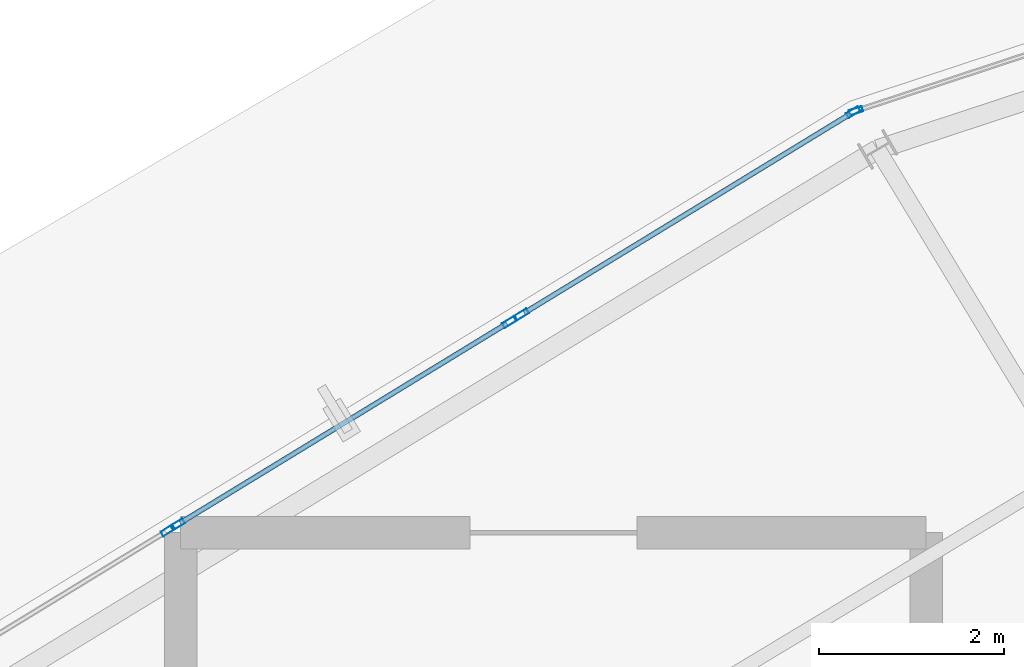
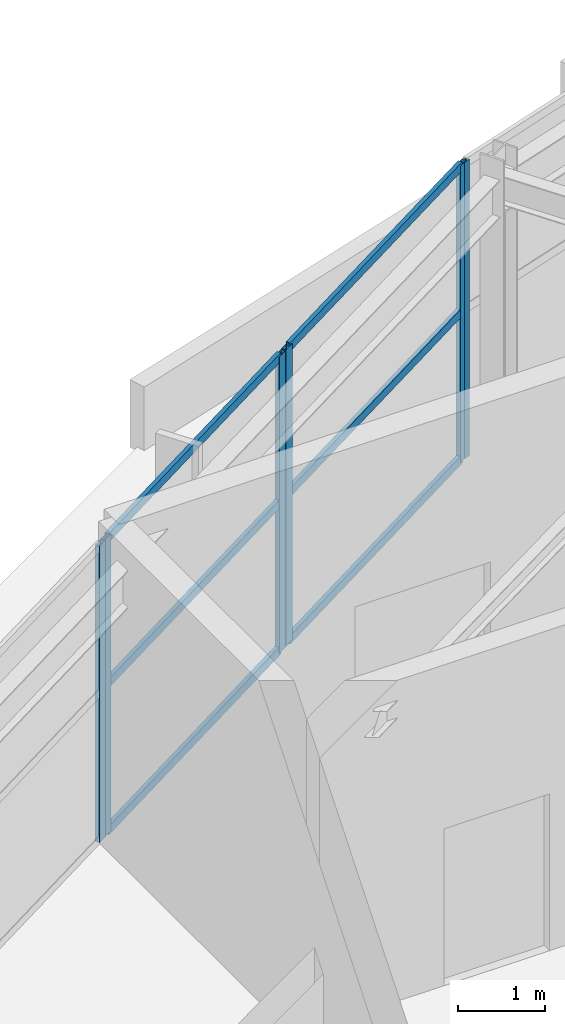
# One storey, part 63 of 126: 12 members, 4 elements without a shape of their own.
"""IFC4 building model written with IfcOpenShell, lengths in metres."""

from ifc_helpers import new_model, si_unit, direction, frame, origin, origin_2d, place, context, subcontext, project, spatial, hollow_rectangle, extrude, material, layer, layer_set, material_profile, profile_set, type_object, element, aggregate, save


model = new_model("IFC4")

# Units and contexts
model_context = context("Model", 3, precision=1e-05, world=origin(), true_north=direction((0.0, 1.0)))
body_context = subcontext(model_context, "Body", "Model", "MODEL_VIEW")
ifc_project = project(units=[si_unit("LENGTHUNIT", "METRE"), si_unit("AREAUNIT", "SQUARE_METRE"), si_unit("VOLUMEUNIT", "CUBIC_METRE"), si_unit("PLANEANGLEUNIT", "RADIAN"), si_unit("MASSUNIT", "GRAM", prefix="KILO")], contexts=[model_context])

# Site, building, storey
site_placement = place(None, origin())
site = spatial("IfcSite", under=ifc_project, at=site_placement, CompositionType="ELEMENT")
building_placement = place(site_placement, origin())
building = spatial("IfcBuilding", under=site, at=building_placement, Name="Kalgoora Escarpment Arena", CompositionType="ELEMENT")
storey_placement = place(building_placement, frame((0.0, 0.0, 18.89990234375)))
storey = spatial("IfcBuildingStorey", under=building, at=storey_placement, Name="L04", CompositionType="ELEMENT", Elevation=18.89990234375)

# Curtain wall, member
ifc_material_1 = material(Name=" Champagne anodised aluminium & double-glazed low-E", Category="aluminium")
ifc_layer_1 = layer(ifc_material_1, 0.157958984375)
ifc_layer_set_1 = layer_set([ifc_layer_1], Name="CW-UNIT-12")
curtain_wall_type_1 = type_object("IfcCurtainWallType", Name="CW-UNIT-12", PredefinedType="NOTDEFINED", material=ifc_layer_set_1)
curtain_wall_1_placement = place(storey_placement, origin())
curtain_wall_1 = element("IfcCurtainWall", 1, at=curtain_wall_1_placement, inside=storey, type_object=curtain_wall_type_1, Name="L04 unitised facade curtain wall 151", PredefinedType="NOTDEFINED")
ifc_material_2 = material(Name="Anodised aluminium 6063-T6", Category="aluminium")
ifc_material_profile_1 = material_profile(ifc_material_2, hollow_rectangle(XDim=0.06005859375, YDim=0.14990234375, WallThickness=0.00341796875, at=origin_2d()))
ifc_profile_set_1 = profile_set([ifc_material_profile_1], Name="Anodised aluminium 6063-T6")
member_type_1 = type_object("IfcMemberType", Name="MEM-CW-MULL-150", PredefinedType="MULLION", material=ifc_profile_set_1)
member_1_placement = place(storey_placement, frame((48.8369140625, 109.24755859375, 0.02001953125), z_axis=(0.0, 0.0, 1.0), x_axis=(-0.52106650732, 0.853516077733, 0.0)))
member_1 = element("IfcMember", 2, at=member_1_placement, type_object=member_type_1, Name="CW-12 mullion 2", PredefinedType="MULLION", context=body_context, shape_type="SweptSolid", body=[
    extrude(hollow_rectangle(XDim=0.06005859375, YDim=0.14990234375, WallThickness=0.00341796875, at=origin_2d()), origin(), (0.0, 0.0, 1.0), 4.16015625),
])
aggregate(curtain_wall_1, [member_1])

# Curtain wall, members
ifc_material_3 = material(Name=" Champagne anodised aluminium & double-glazed low-E", Category="aluminium")
ifc_layer_2 = layer(ifc_material_3, 0.162109375)
ifc_layer_set_2 = layer_set([ifc_layer_2], Name="CW-UNIT-13")
curtain_wall_type_2 = type_object("IfcCurtainWallType", Name="CW-UNIT-13", PredefinedType="NOTDEFINED", material=ifc_layer_set_2)
curtain_wall_2_placement = place(storey_placement, origin())
curtain_wall_2 = element("IfcCurtainWall", 3, at=curtain_wall_2_placement, inside=storey, type_object=curtain_wall_type_2, Name="L04 unitised facade curtain wall 152", PredefinedType="NOTDEFINED")
member_2_placement = place(storey_placement, frame((48.9443359375, 109.313232421875, 0.02001953125), z_axis=(0.0, 0.0, 1.0), x_axis=(-0.521048501858, 0.853527069701, 0.0)))
member_2 = element("IfcMember", 4, at=member_2_placement, type_object=member_type_1, Name="CW-13 mullion 1", PredefinedType="MULLION", context=body_context, shape_type="SweptSolid", body=[
    extrude(hollow_rectangle(XDim=0.06005859375, YDim=0.14990234375, WallThickness=0.00341796875, at=origin_2d()), origin(), (0.0, 0.0, 1.0), 4.16015625),
])
member_3_placement = place(storey_placement, frame((52.5224609375, 111.49755859375, 0.02001953125), z_axis=(0.0, 0.0, 1.0), x_axis=(-0.521048501858, 0.853527069701, 0.0)))
member_3 = element("IfcMember", 5, at=member_3_placement, type_object=member_type_1, Name="CW-13 mullion 2", PredefinedType="MULLION", context=body_context, shape_type="SweptSolid", body=[
    extrude(hollow_rectangle(XDim=0.06005859375, YDim=0.14990234375, WallThickness=0.00341796875, at=origin_2d()), origin(), (0.0, 0.0, 1.0), 4.16015625),
])

ifc_material_4 = material(Name=" Champagne anodised aluminium & double-glazed low-E", Category="aluminium")
ifc_layer_3 = layer(ifc_material_4, 0.166015625)
ifc_layer_set_3 = layer_set([ifc_layer_3], Name="CW-UNIT-14")
curtain_wall_type_3 = type_object("IfcCurtainWallType", Name="CW-UNIT-14", PredefinedType="NOTDEFINED", material=ifc_layer_set_3)
curtain_wall_3_placement = place(storey_placement, origin())
curtain_wall_3 = element("IfcCurtainWall", 6, at=curtain_wall_3_placement, inside=storey, type_object=curtain_wall_type_3, Name="L04 unitised facade curtain wall 153", PredefinedType="NOTDEFINED")
member_4_placement = place(storey_placement, frame((52.658935546875, 111.580810546875, 0.02001953125), z_axis=(0.0, 0.0, 1.0), x_axis=(-0.521058961304, 0.853520684485, 0.0)))
member_4 = element("IfcMember", 7, at=member_4_placement, type_object=member_type_1, Name="CW-14 mullion 1", PredefinedType="MULLION", context=body_context, shape_type="SweptSolid", body=[
    extrude(hollow_rectangle(XDim=0.06005859375, YDim=0.14990234375, WallThickness=0.00341796875, at=origin_2d()), origin(), (0.0, 0.0, 1.0), 4.16015625),
])
member_5_placement = place(storey_placement, frame((56.23681640625, 113.76513671875, 0.02001953125), z_axis=(0.0, 0.0, 1.0), x_axis=(-0.521058961304, 0.853520684485, 0.0)))
member_5 = element("IfcMember", 8, at=member_5_placement, type_object=member_type_1, Name="CW-14 mullion 2", PredefinedType="MULLION", context=body_context, shape_type="SweptSolid", body=[
    extrude(hollow_rectangle(XDim=0.06005859375, YDim=0.14990234375, WallThickness=0.00341796875, at=origin_2d()), origin(), (0.0, 0.0, 1.0), 4.16015625),
])

# Curtain wall, member
ifc_material_5 = material(Name=" Champagne anodised aluminium & double-glazed low-E", Category="aluminium")
ifc_layer_4 = layer(ifc_material_5, 0.14990234375)
ifc_layer_set_4 = layer_set([ifc_layer_4], Name="CW-UNIT-15")
curtain_wall_type_4 = type_object("IfcCurtainWallType", Name="CW-UNIT-15", PredefinedType="NOTDEFINED", material=ifc_layer_set_4)
curtain_wall_4_placement = place(storey_placement, origin())
curtain_wall_4 = element("IfcCurtainWall", 9, at=curtain_wall_4_placement, inside=storey, type_object=curtain_wall_type_4, Name="L04 unitised facade curtain wall 154", PredefinedType="NOTDEFINED")
member_6_placement = place(storey_placement, frame((56.26611328125, 113.778564453125, 0.02001953125), z_axis=(0.0, 0.0, 1.0), x_axis=(-0.312985861452, 0.949757785191, 0.0)))
member_6 = element("IfcMember", 10, at=member_6_placement, type_object=member_type_1, Name="CW-15 mullion 1", PredefinedType="MULLION", context=body_context, shape_type="SweptSolid", body=[
    extrude(hollow_rectangle(XDim=0.06005859375, YDim=0.14990234375, WallThickness=0.00341796875, at=origin_2d()), origin(), (0.0, 0.0, 1.0), 4.16015625),
])
aggregate(curtain_wall_4, [member_6])

# Member
ifc_material_6 = material(Name="Anodised aluminium 6063-T6", Category="aluminium")
ifc_material_profile_2 = material_profile(ifc_material_6, hollow_rectangle(XDim=0.054931640625, YDim=0.1201171875, WallThickness=0.003173828125, at=origin_2d()))
ifc_profile_set_2 = profile_set([ifc_material_profile_2], Name="Anodised aluminium 6063-T6")
member_type_2 = type_object("IfcMemberType", Name="MEM-CW-TRAN-120", PredefinedType="USERDEFINED", material=ifc_profile_set_2)
member_7_placement = place(storey_placement, frame((48.969970703125, 109.328857421875, 0.047607421875), z_axis=(0.853521264448, 0.521058011295, 0.0), x_axis=(-0.521058011295, 0.853521264448, 0.0)))
member_7 = element("IfcMember", 11, at=member_7_placement, type_object=member_type_2, Name="CW-13 transom 1.1", ObjectType="TRANSOM", PredefinedType="USERDEFINED", context=body_context, shape_type="SweptSolid", body=[
    extrude(hollow_rectangle(XDim=0.054931640625, YDim=0.1201171875, WallThickness=0.003173828125, at=origin_2d()), origin(), (0.0, 0.0, 1.0), 4.132080078125),
])

member_8_placement = place(storey_placement, frame((48.969970703125, 109.328857421875, 2.110107421875), z_axis=(0.853521264448, 0.521058011295, 0.0), x_axis=(-0.521058011295, 0.853521264448, 0.0)))
member_8 = element("IfcMember", 12, at=member_8_placement, type_object=member_type_2, Name="CW-13 transom 1.2", ObjectType="TRANSOM", PredefinedType="USERDEFINED", context=body_context, shape_type="SweptSolid", body=[
    extrude(hollow_rectangle(XDim=0.054931640625, YDim=0.1201171875, WallThickness=0.003173828125, at=origin_2d()), origin(), (0.0, 0.0, 1.0), 4.132080078125),
])

member_9_placement = place(storey_placement, frame((48.969970703125, 109.328857421875, 4.152587890625), z_axis=(0.853521264448, 0.521058011295, 0.0), x_axis=(-0.521058011295, 0.853521264448, 0.0)))
member_9 = element("IfcMember", 13, at=member_9_placement, type_object=member_type_2, Name="CW-13 transom 1.3", ObjectType="TRANSOM", PredefinedType="USERDEFINED", context=body_context, shape_type="SweptSolid", body=[
    extrude(hollow_rectangle(XDim=0.054931640625, YDim=0.1201171875, WallThickness=0.003173828125, at=origin_2d()), origin(), (0.0, 0.0, 1.0), 4.132080078125),
])

aggregate(curtain_wall_2, [member_2, member_3, member_7, member_8, member_9])

member_10_placement = place(storey_placement, frame((52.6845703125, 111.596435546875, 0.047607421875), z_axis=(0.853505221959, 0.521084288852, 0.0), x_axis=(-0.521084288852, 0.853505221959, 0.0)))
member_10 = element("IfcMember", 14, at=member_10_placement, type_object=member_type_2, Name="CW-14 transom 1.1", ObjectType="TRANSOM", PredefinedType="USERDEFINED", context=body_context, shape_type="SweptSolid", body=[
    extrude(hollow_rectangle(XDim=0.054931640625, YDim=0.1201171875, WallThickness=0.003173828125, at=origin_2d()), origin(), (0.0, 0.0, 1.0), 4.1318359375),
])

member_11_placement = place(storey_placement, frame((52.6845703125, 111.596435546875, 2.110107421875), z_axis=(0.853505221959, 0.521084288852, 0.0), x_axis=(-0.521084288852, 0.853505221959, 0.0)))
member_11 = element("IfcMember", 15, at=member_11_placement, type_object=member_type_2, Name="CW-14 transom 1.2", ObjectType="TRANSOM", PredefinedType="USERDEFINED", context=body_context, shape_type="SweptSolid", body=[
    extrude(hollow_rectangle(XDim=0.054931640625, YDim=0.1201171875, WallThickness=0.003173828125, at=origin_2d()), origin(), (0.0, 0.0, 1.0), 4.1318359375),
])

member_12_placement = place(storey_placement, frame((52.6845703125, 111.596435546875, 4.152587890625), z_axis=(0.853505221959, 0.521084288852, 0.0), x_axis=(-0.521084288852, 0.853505221959, 0.0)))
member_12 = element("IfcMember", 16, at=member_12_placement, type_object=member_type_2, Name="CW-14 transom 1.3", ObjectType="TRANSOM", PredefinedType="USERDEFINED", context=body_context, shape_type="SweptSolid", body=[
    extrude(hollow_rectangle(XDim=0.054931640625, YDim=0.1201171875, WallThickness=0.003173828125, at=origin_2d()), origin(), (0.0, 0.0, 1.0), 4.1318359375),
])

aggregate(curtain_wall_3, [member_4, member_5, member_10, member_11, member_12])

save(model, "model.ifc")
